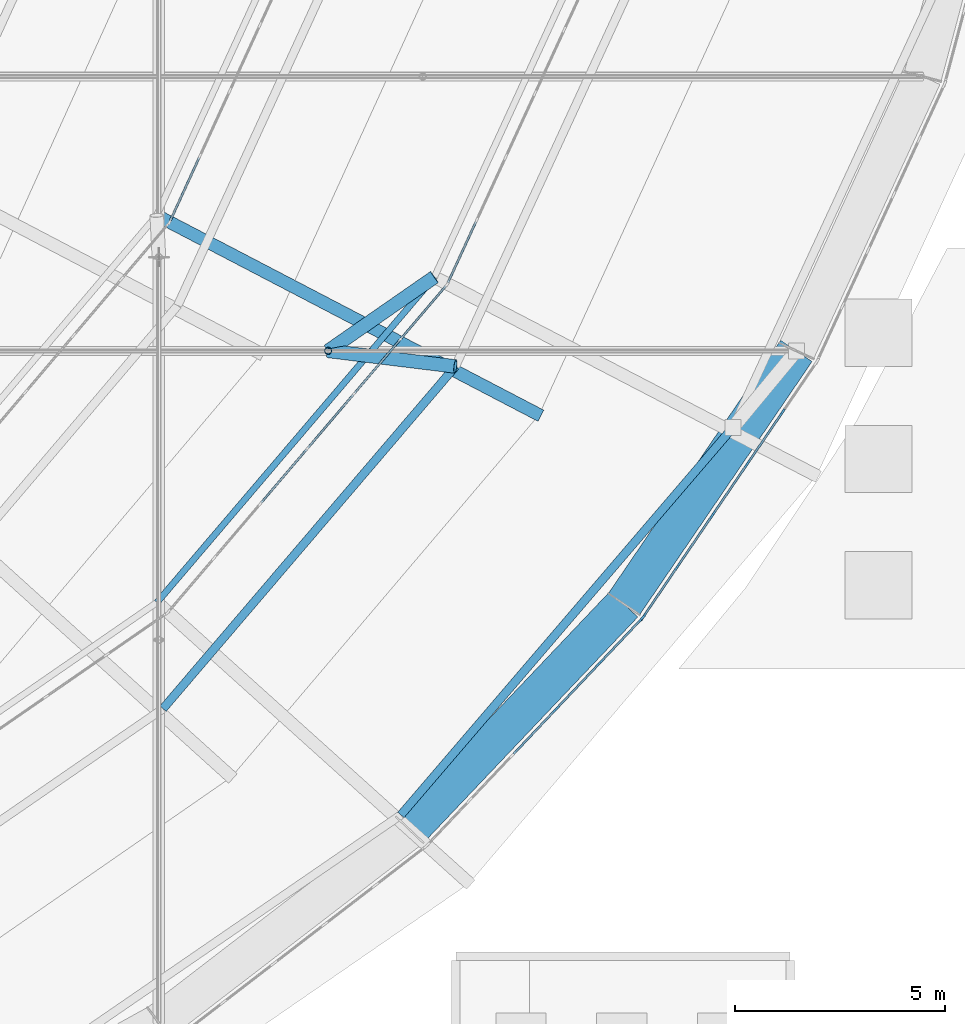
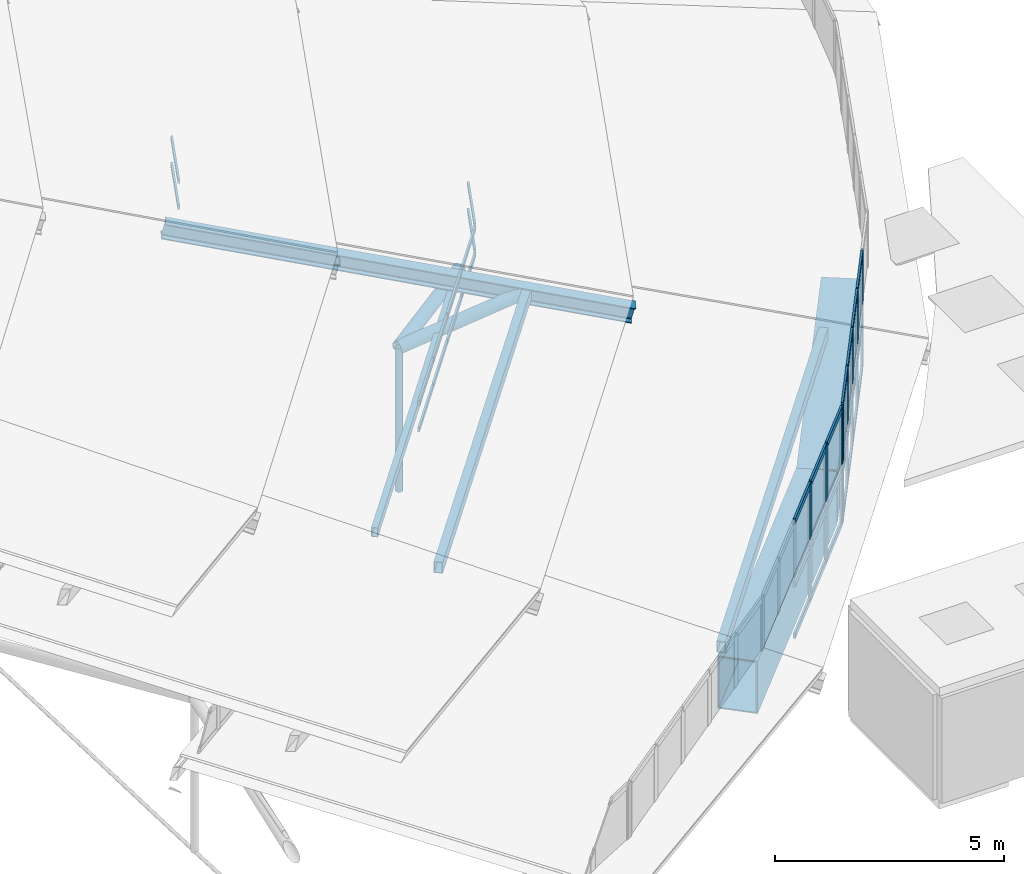
# One storey, part 81 of 173: 48 members, 2 beams, 5 elements without a shape of their own.
"""IFC4 building model written with IfcOpenShell, lengths in metres."""

import ifcopenshell
import ifcopenshell.guid

model = None  # the IFC model being written
_history = None  # IfcOwnerHistory: only IFC2X3 demands one
_inside = {}  # id of a spatial element -> (the spatial element, [elements in it])
_under = {}  # id of a project, library or spatial element -> (it, [spatial elements below it])
_declared = {}  # id of a project -> (the project, [libraries it declares])
_typed = {}  # id of a type object -> (the type object, [elements of that type])
_made_of = {}  # id of a material, layer set ... -> (it, [elements and type objects made of it])


def new_model(schema):
    """Start an empty IFC model of exactly this schema.

    Asked for "IFC4X3", IfcOpenShell would pick the latest addendum, in which some entities
    have other attributes; the version numbers below select the first issue.
    IFC2X3 requires an IfcOwnerHistory on every rooted entity: one is made here for all.
    """
    global model, _history
    if schema == "IFC4X3":
        model = ifcopenshell.file(schema_version=(4, 3, 0, 0))
    else:
        model = ifcopenshell.file(schema=schema)
    _inside.clear()
    _under.clear()
    _declared.clear()
    _typed.clear()
    _made_of.clear()
    _history = None
    if model.schema == "IFC2X3":
        org = make("IfcOrganization", Name="unknown")
        user = make(
            "IfcPersonAndOrganization",
            ThePerson=make("IfcPerson", FamilyName="unknown"),
            TheOrganization=org,
        )
        app = make(
            "IfcApplication",
            ApplicationDeveloper=org,
            Version="unknown",
            ApplicationFullName="unknown",
            ApplicationIdentifier="unknown",
        )
        _history = make(
            "IfcOwnerHistory",
            OwningUser=user,
            OwningApplication=app,
            ChangeAction="ADDED",
            CreationDate=0,
        )
    return model


def make(cls, **values):
    """One entity of the class cls with the attributes given. An attribute that is None is left unset."""
    return model.create_entity(
        cls, **{name: value for name, value in values.items() if value is not None}
    )


def rooted(cls, **values):
    """An entity with a GlobalId (a new one), such as an element, a storey or a relation."""
    return make(cls, GlobalId=ifcopenshell.guid.new(), OwnerHistory=_history, **values)


def si_unit(unit_type, name, prefix=None):
    """IfcSIUnit, for example si_unit("LENGTHUNIT", "METRE", prefix="MILLI")."""
    return make("IfcSIUnit", UnitType=unit_type, Prefix=prefix, Name=name)


def assignment(units):
    """IfcUnitAssignment: the units of a project."""
    return None if units is None else make("IfcUnitAssignment", Units=units)


def point(xyz):
    """IfcCartesianPoint."""
    return None if xyz is None else make("IfcCartesianPoint", Coordinates=xyz)


def direction(xyz):
    """IfcDirection."""
    return None if xyz is None else make("IfcDirection", DirectionRatios=xyz)


def frame(location, z_axis=None, x_axis=None):
    """IfcAxis2Placement3D, a coordinate frame: its origin and axes. An axis left out is left unset."""
    return make(
        "IfcAxis2Placement3D",
        Location=point(location),
        Axis=direction(z_axis),
        RefDirection=direction(x_axis),
    )


def frame_2d(location, x_axis=None):
    """IfcAxis2Placement2D, a coordinate frame in the plane: its origin and x axis."""
    return make(
        "IfcAxis2Placement2D", Location=point(location), RefDirection=direction(x_axis)
    )


def origin():
    """The frame at (0, 0, 0) with its axes left unset."""
    return frame((0.0, 0.0, 0.0))


def origin_2d():
    """The frame at (0, 0) in the plane with its x axis left unset."""
    return frame_2d((0.0, 0.0))


def place(relative_to, where):
    """IfcLocalPlacement: puts the frame where relative to a parent placement (None: the world)."""
    return make(
        "IfcLocalPlacement", PlacementRelTo=relative_to, RelativePlacement=where
    )


def context(
    kind, dimensions, precision=None, world=None, true_north=None, identifier=None
):
    """IfcGeometricRepresentationContext, for example the 3D "Model" context."""
    return make(
        "IfcGeometricRepresentationContext",
        ContextIdentifier=identifier,
        ContextType=kind,
        CoordinateSpaceDimension=dimensions,
        Precision=precision,
        WorldCoordinateSystem=world,
        TrueNorth=true_north,
    )


def subcontext(parent, identifier, kind, view, scale=None):
    """IfcGeometricRepresentationSubContext, for example "Body" below "Model"."""
    return make(
        "IfcGeometricRepresentationSubContext",
        ContextIdentifier=identifier,
        ContextType=kind,
        ParentContext=parent,
        TargetScale=scale,
        TargetView=view,
    )


def project(units=None, contexts=None):
    """IfcProject with its units and contexts."""
    return rooted(
        "IfcProject",
        Name="project",
        RepresentationContexts=contexts,
        UnitsInContext=assignment(units),
    )


def spatial(cls, under=None, at=None, **own):
    """A site, building, storey or space (cls), placed at a placement, below another one or the project."""
    s = rooted(cls, ObjectPlacement=at, **own)
    if under is not None:
        _under.setdefault(under.id(), (under, []))[1].append(s)
    return s


def profile(cls, at=None, kind="AREA", **sizes):
    """A parametric profile (cls). Its sizes go by their IFC names, for example OverallWidth=200.0."""
    return make(cls, ProfileType=kind, Position=at, **sizes)


def rectangle(**sizes):
    """IfcRectangleProfileDef."""
    return profile("IfcRectangleProfileDef", **sizes)


def hollow_rectangle(**sizes):
    """IfcRectangleHollowProfileDef."""
    return profile("IfcRectangleHollowProfileDef", **sizes)


def hollow_circle(**sizes):
    """IfcCircleHollowProfileDef."""
    return profile("IfcCircleHollowProfileDef", **sizes)


def i_section(**sizes):
    """IfcIShapeProfileDef."""
    return profile("IfcIShapeProfileDef", **sizes)


def extrude(swept, where, along, depth):
    """IfcExtrudedAreaSolid: the profile swept, set in the frame where, extruded along a direction by depth."""
    return make(
        "IfcExtrudedAreaSolid",
        SweptArea=swept,
        Position=where,
        ExtrudedDirection=direction(along),
        Depth=depth,
    )


def shape(context_of_items, identifier, shape_type, items):
    """IfcShapeRepresentation: the items that make up one representation, for example the "Body"."""
    return make(
        "IfcShapeRepresentation",
        ContextOfItems=context_of_items,
        RepresentationIdentifier=identifier,
        RepresentationType=shape_type,
        Items=items,
    )


def material(Name=None, Category=None):
    """IfcMaterial."""
    return make("IfcMaterial", Name=Name, Category=Category)


def material_profile(
    of_material, cross_section, Name=None, Category=None, Priority=None
):
    """IfcMaterialProfile: a cross section and its material."""
    return make(
        "IfcMaterialProfile",
        Name=Name,
        Material=of_material,
        Profile=cross_section,
        Priority=Priority,
        Category=Category,
    )


def profile_set(profiles, Name=None, composite=None):
    """IfcMaterialProfileSet."""
    return make(
        "IfcMaterialProfileSet",
        Name=Name,
        MaterialProfiles=profiles,
        CompositeProfile=composite,
    )


def made_of(thing, what):
    """Note that an element or type object is made of a material, layer set ...; save() writes the relation."""
    if what is not None:
        _made_of.setdefault(what.id(), (what, []))[1].append(thing)
    return thing


def type_object(cls, material=None, **own):
    """A type object (cls), such as IfcWallType, which elements share."""
    return made_of(rooted(cls, **own), material)


def element(
    cls,
    number,
    at=None,
    inside=None,
    cuts=None,
    type_object=None,
    material=None,
    context=None,
    identifier="Body",
    shape_type=None,
    held_by="IfcProductDefinitionShape",
    body=None,
    shapes=None,
    **own,
):
    """One element of the class cls, such as IfcWall. Its Tag is "e" and its number.

    at: its placement. inside: the storey or other place that contains it. cuts: it is an
    opening in that element (IfcRelVoidsElement). A single representation is given by context,
    identifier, shape_type and body (its items); several are given by shapes. held_by: the class
    of the entity that holds the representations. save() writes the other relations.
    """
    e = rooted(cls, Tag="e%d" % number, ObjectPlacement=at, **own)
    if body is not None:
        shapes = [shape(context, identifier, shape_type, body)]
    if shapes is not None:
        e.Representation = make(held_by, Representations=shapes)
    if inside is not None:
        _inside.setdefault(inside.id(), (inside, []))[1].append(e)
    if cuts is not None:
        rooted(
            "IfcRelVoidsElement", RelatingBuildingElement=cuts, RelatedOpeningElement=e
        )
    if type_object is not None:
        _typed.setdefault(type_object.id(), (type_object, []))[1].append(e)
    return made_of(e, material)


def aggregate(whole, parts):
    """IfcRelAggregates: a whole, such as a stair, and the parts it consists of."""
    return rooted("IfcRelAggregates", RelatingObject=whole, RelatedObjects=parts)


def save(model, path):
    """Write the relations noted so far, then the file.

    IfcRelAggregates (storeys below a building ...), IfcRelContainedInSpatialStructure (elements
    in a storey), IfcRelDefinesByType, IfcRelAssociatesMaterial and IfcRelDeclares: one each for
    every whole, place, type object, material and project.
    """
    for whole, parts in _under.values():
        aggregate(whole, parts)
    for where, things in _inside.values():
        rooted(
            "IfcRelContainedInSpatialStructure",
            RelatedElements=things,
            RelatingStructure=where,
        )
    for kind, things in _typed.values():
        rooted("IfcRelDefinesByType", RelatedObjects=things, RelatingType=kind)
    for what, things in _made_of.values():
        rooted("IfcRelAssociatesMaterial", RelatedObjects=things, RelatingMaterial=what)
    for by, libraries in _declared.values():
        rooted("IfcRelDeclares", RelatingContext=by, RelatedDefinitions=libraries)
    model.write(path)


model = new_model("IFC4")

# Units and contexts
model_context = context("Model", 3, precision=1e-05, world=origin(), true_north=direction((0.0, 1.0)))
body_context = subcontext(model_context, "Body", "Model", "MODEL_VIEW")
ifc_project = project(units=[si_unit("LENGTHUNIT", "METRE"), si_unit("AREAUNIT", "SQUARE_METRE"), si_unit("VOLUMEUNIT", "CUBIC_METRE"), si_unit("PLANEANGLEUNIT", "RADIAN"), si_unit("MASSUNIT", "GRAM", prefix="KILO")], contexts=[model_context])

# Site, building, storey
site_placement = place(None, origin())
site = spatial("IfcSite", under=ifc_project, at=site_placement, CompositionType="ELEMENT")
building_placement = place(site_placement, origin())
building = spatial("IfcBuilding", under=site, at=building_placement, Name="Glasvene Arena", CompositionType="ELEMENT")
storey_placement = place(building_placement, frame((0.0, 0.0, 28.800048828125)))
storey = spatial("IfcBuildingStorey", under=building, at=storey_placement, Name="RF", CompositionType="ELEMENT", Elevation=28.800048828125)

# Beams
ifc_material_1 = material(Name="Steel S355J2", Category="steel")
ifc_material_profile_1 = material_profile(ifc_material_1, hollow_rectangle(XDim=0.89990234375, YDim=1.39990234375, WallThickness=0.034912109375, at=origin_2d()), Name="WBOX 900x1400x35")
ifc_profile_set_1 = profile_set([ifc_material_profile_1], Name="Steel S355J2")
beam_type = type_object("IfcBeamType", Name="BM-RING-BOX1400", PredefinedType="USERDEFINED", material=ifc_profile_set_1)
beam_1_placement = place(storey_placement, frame((127.355224609375, 41.18017578125, -0.699951171875), z_axis=(0.688345435881, 0.725383044261, 0.0), x_axis=(-0.725383044261, 0.688345435881, 0.0)))
element("IfcBeam", 1, at=beam_1_placement, inside=storey, type_object=beam_type, Name="Compression ring beam chord RB-36", ObjectType="RING BEAM", PredefinedType="USERDEFINED", context=body_context, shape_type="SweptSolid", body=[
    extrude(hollow_rectangle(XDim=0.89990234375, YDim=1.39990234375, WallThickness=0.034912109375, at=origin_2d()), origin(), (0.0, 0.0, 1.0), 7.402587890625),
])
beam_2_placement = place(storey_placement, frame((132.45068359375, 46.5498046875, -0.699951171875), z_axis=(0.562841652838, 0.826564742674, 0.0), x_axis=(-0.826564742674, 0.562841652838, 0.0)))
element("IfcBeam", 2, at=beam_2_placement, inside=storey, type_object=beam_type, Name="Compression ring beam chord RB-37", ObjectType="RING BEAM", PredefinedType="USERDEFINED", context=body_context, shape_type="SweptSolid", body=[
    extrude(hollow_rectangle(XDim=0.89990234375, YDim=1.39990234375, WallThickness=0.034912109375, at=origin_2d()), origin(), (0.0, 0.0, 1.0), 7.28369140625),
])

# Curtain wall, members
ifc_material_2 = material(Name="Low-emissivity laminated double glazing", Category="glass")
curtain_wall_type_1 = type_object("IfcCurtainWallType", Name="CW-DRUM-749x310", PredefinedType="USERDEFINED", material=ifc_material_2)
curtain_wall_1_placement = place(storey_placement, frame((127.744140625, 40.791259765625, 0.0)))
curtain_wall_1 = element("IfcCurtainWall", 3, at=curtain_wall_1_placement, inside=storey, type_object=curtain_wall_type_1, Name="Crown compression-ring fascia curtain wall 36", ObjectType="CURTAIN WALL", PredefinedType="USERDEFINED")
ifc_material_3 = material(Name="Anodised architectural aluminium", Category="aluminium")
ifc_material_profile_2 = material_profile(ifc_material_3, rectangle(XDim=0.050048828125, YDim=0.199951171875, at=origin_2d()), Name="ALU MULLION 50x200")
ifc_profile_set_2 = profile_set([ifc_material_profile_2], Name="Anodised architectural aluminium")
member_type_1 = type_object("IfcMemberType", Name="CW-MUL-180", PredefinedType="MULLION", material=ifc_profile_set_2)
member_1_placement = place(storey_placement, frame((130.835205078125, 44.05224609375, -1.380126953125), z_axis=(0.0, 0.0, 1.0), x_axis=(-0.725782125252, 0.687924637344, 0.0)))
member_1 = element("IfcMember", 4, at=member_1_placement, type_object=member_type_1, Name="CW-075 mullion 4", PredefinedType="MULLION", context=body_context, shape_type="SweptSolid", body=[
    extrude(rectangle(XDim=0.050048828125, YDim=0.199951171875, at=origin_2d()), origin(), (0.0, 0.0, 1.0), 3.10009765625),
])
member_2_placement = place(storey_placement, frame((131.865478515625, 45.139404296875, -1.380126953125), z_axis=(0.0, 0.0, 1.0), x_axis=(-0.725782125252, 0.687924637344, 0.0)))
member_2 = element("IfcMember", 5, at=member_2_placement, type_object=member_type_1, Name="CW-075 mullion 5", PredefinedType="MULLION", context=body_context, shape_type="SweptSolid", body=[
    extrude(rectangle(XDim=0.050048828125, YDim=0.199951171875, at=origin_2d()), origin(), (0.0, 0.0, 1.0), 3.10009765625),
])
member_3_placement = place(storey_placement, frame((132.878662109375, 46.208251953125, -1.380126953125), z_axis=(0.0, 0.0, 1.0), x_axis=(-0.725782125252, 0.687924637344, 0.0)))
member_3 = element("IfcMember", 6, at=member_3_placement, type_object=member_type_1, Name="CW-075 mullion 6", PredefinedType="MULLION", context=body_context, shape_type="SweptSolid", body=[
    extrude(rectangle(XDim=0.050048828125, YDim=0.199951171875, at=origin_2d()), origin(), (0.0, 0.0, 1.0), 3.10009765625),
])

curtain_wall_type_2 = type_object("IfcCurtainWallType", Name="CW-DRUM-737x310", PredefinedType="USERDEFINED", material=ifc_material_2)
curtain_wall_2_placement = place(storey_placement, frame((132.895751953125, 46.226318359375, 0.0)))
curtain_wall_2 = element("IfcCurtainWall", 7, at=curtain_wall_2_placement, inside=storey, type_object=curtain_wall_type_2, Name="Crown compression-ring fascia curtain wall 37", ObjectType="CURTAIN WALL", PredefinedType="USERDEFINED")
member_4_placement = place(storey_placement, frame((132.909912109375, 46.2470703125, -1.380126953125), z_axis=(0.0, 0.0, 1.0), x_axis=(-0.826896469394, 0.56235418457, 0.0)))
member_4 = element("IfcMember", 8, at=member_4_placement, type_object=member_type_1, Name="CW-074 mullion 1", PredefinedType="MULLION", context=body_context, shape_type="SweptSolid", body=[
    extrude(rectangle(XDim=0.050048828125, YDim=0.199951171875, at=origin_2d()), origin(), (0.0, 0.0, 1.0), 3.10009765625),
])
member_5_placement = place(storey_placement, frame((133.724609375, 47.4453125, -1.380126953125), z_axis=(0.0, 0.0, 1.0), x_axis=(-0.826896469394, 0.56235418457, 0.0)))
member_5 = element("IfcMember", 9, at=member_5_placement, type_object=member_type_1, Name="CW-074 mullion 2", PredefinedType="MULLION", context=body_context, shape_type="SweptSolid", body=[
    extrude(rectangle(XDim=0.050048828125, YDim=0.199951171875, at=origin_2d()), origin(), (0.0, 0.0, 1.0), 3.10009765625),
])
member_6_placement = place(storey_placement, frame((134.5537109375, 48.6640625, -1.380126953125), z_axis=(0.0, 0.0, 1.0), x_axis=(-0.826896469394, 0.56235418457, 0.0)))
member_6 = element("IfcMember", 10, at=member_6_placement, type_object=member_type_1, Name="CW-074 mullion 3", PredefinedType="MULLION", context=body_context, shape_type="SweptSolid", body=[
    extrude(rectangle(XDim=0.050048828125, YDim=0.199951171875, at=origin_2d()), origin(), (0.0, 0.0, 1.0), 3.10009765625),
])
member_7_placement = place(storey_placement, frame((135.382568359375, 49.883056640625, -1.380126953125), z_axis=(0.0, 0.0, 1.0), x_axis=(-0.826896469394, 0.56235418457, 0.0)))
member_7 = element("IfcMember", 11, at=member_7_placement, type_object=member_type_1, Name="CW-074 mullion 4", PredefinedType="MULLION", context=body_context, shape_type="SweptSolid", body=[
    extrude(rectangle(XDim=0.050048828125, YDim=0.199951171875, at=origin_2d()), origin(), (0.0, 0.0, 1.0), 3.10009765625),
])
member_8_placement = place(storey_placement, frame((136.21142578125, 51.101806640625, -1.380126953125), z_axis=(0.0, 0.0, 1.0), x_axis=(-0.826896469394, 0.56235418457, 0.0)))
member_8 = element("IfcMember", 12, at=member_8_placement, type_object=member_type_1, Name="CW-074 mullion 5", PredefinedType="MULLION", context=body_context, shape_type="SweptSolid", body=[
    extrude(rectangle(XDim=0.050048828125, YDim=0.199951171875, at=origin_2d()), origin(), (0.0, 0.0, 1.0), 3.10009765625),
])

curtain_wall_type_3 = type_object("IfcCurtainWallType", Name="CW-PET1-1026x75", PredefinedType="USERDEFINED", material=ifc_material_2)
curtain_wall_3_placement = place(storey_placement, frame((121.59228515625, 46.342041015625, 0.0)))
curtain_wall_3 = element("IfcCurtainWall", 13, at=curtain_wall_3_placement, inside=storey, type_object=curtain_wall_type_3, Name="Petal ring 1-2 clerestory curtain wall 22", ObjectType="CURTAIN WALL", PredefinedType="USERDEFINED")
ifc_material_profile_3 = material_profile(ifc_material_3, rectangle(XDim=0.050048828125, YDim=0.1201171875, at=origin_2d()), Name="ALU TRANSOM 50x120")
ifc_profile_set_3 = profile_set([ifc_material_profile_3], Name="Anodised architectural aluminium")
member_type_2 = type_object("IfcMemberType", Name="CW-TRN-120", PredefinedType="USERDEFINED", material=ifc_profile_set_3)
member_9_placement = place(storey_placement, frame((123.825439453125, 48.9638671875, 2.60498046875), z_axis=(0.648510661064, 0.761205571766, 0.0), x_axis=(-0.761205571766, 0.648510661064, 0.0)))
member_9 = element("IfcMember", 14, at=member_9_placement, type_object=member_type_2, Name="CW-083 transom 3.1", ObjectType="TRANSOM", PredefinedType="USERDEFINED", context=body_context, shape_type="SweptSolid", body=[
    extrude(rectangle(XDim=0.050048828125, YDim=0.1201171875, at=origin_2d()), origin(), (0.0, 0.0, 1.0), 1.659423828125),
])
member_10_placement = place(storey_placement, frame((123.825439453125, 48.9638671875, 3.304931640625), z_axis=(0.648510661064, 0.761205571766, 0.0), x_axis=(-0.761205571766, 0.648510661064, 0.0)))
member_10 = element("IfcMember", 15, at=member_10_placement, type_object=member_type_2, Name="CW-083 transom 3.2", ObjectType="TRANSOM", PredefinedType="USERDEFINED", context=body_context, shape_type="SweptSolid", body=[
    extrude(rectangle(XDim=0.050048828125, YDim=0.1201171875, at=origin_2d()), origin(), (0.0, 0.0, 1.0), 1.659423828125),
])
member_11_placement = place(storey_placement, frame((124.93408203125, 50.26513671875, 2.60498046875), z_axis=(0.648425401794, 0.761278200337, 0.0), x_axis=(-0.761278200337, 0.648425401794, 0.0)))
member_11 = element("IfcMember", 16, at=member_11_placement, type_object=member_type_2, Name="CW-083 transom 4.1", ObjectType="TRANSOM", PredefinedType="USERDEFINED", context=body_context, shape_type="SweptSolid", body=[
    extrude(rectangle(XDim=0.050048828125, YDim=0.1201171875, at=origin_2d()), origin(), (0.0, 0.0, 1.0), 1.6591796875),
])
member_12_placement = place(storey_placement, frame((124.93408203125, 50.26513671875, 3.304931640625), z_axis=(0.648425401794, 0.761278200337, 0.0), x_axis=(-0.761278200337, 0.648425401794, 0.0)))
member_12 = element("IfcMember", 17, at=member_12_placement, type_object=member_type_2, Name="CW-083 transom 4.2", ObjectType="TRANSOM", PredefinedType="USERDEFINED", context=body_context, shape_type="SweptSolid", body=[
    extrude(rectangle(XDim=0.050048828125, YDim=0.1201171875, at=origin_2d()), origin(), (0.0, 0.0, 1.0), 1.6591796875),
])
member_13_placement = place(storey_placement, frame((126.04248046875, 51.56640625, 2.60498046875), z_axis=(0.648425401794, 0.761278200337, 0.0), x_axis=(-0.761278200337, 0.648425401794, 0.0)))
member_13 = element("IfcMember", 18, at=member_13_placement, type_object=member_type_2, Name="CW-083 transom 5.1", ObjectType="TRANSOM", PredefinedType="USERDEFINED", context=body_context, shape_type="SweptSolid", body=[
    extrude(rectangle(XDim=0.050048828125, YDim=0.1201171875, at=origin_2d()), origin(), (0.0, 0.0, 1.0), 1.6591796875),
])
member_14_placement = place(storey_placement, frame((126.04248046875, 51.56640625, 3.304931640625), z_axis=(0.648425401794, 0.761278200337, 0.0), x_axis=(-0.761278200337, 0.648425401794, 0.0)))
member_14 = element("IfcMember", 19, at=member_14_placement, type_object=member_type_2, Name="CW-083 transom 5.2", ObjectType="TRANSOM", PredefinedType="USERDEFINED", context=body_context, shape_type="SweptSolid", body=[
    extrude(rectangle(XDim=0.050048828125, YDim=0.1201171875, at=origin_2d()), origin(), (0.0, 0.0, 1.0), 1.6591796875),
])
member_15_placement = place(storey_placement, frame((127.15087890625, 52.86767578125, 2.60498046875), z_axis=(0.648463249482, 0.761245961613, 0.0), x_axis=(-0.761245961613, 0.648463249482, 0.0)))
member_15 = element("IfcMember", 20, at=member_15_placement, type_object=member_type_2, Name="CW-083 transom 6.1", ObjectType="TRANSOM", PredefinedType="USERDEFINED", context=body_context, shape_type="SweptSolid", body=[
    extrude(rectangle(XDim=0.050048828125, YDim=0.1201171875, at=origin_2d()), origin(), (0.0, 0.0, 1.0), 1.63427734375),
])
member_16_placement = place(storey_placement, frame((127.15087890625, 52.86767578125, 3.304931640625), z_axis=(0.648463249482, 0.761245961613, 0.0), x_axis=(-0.761245961613, 0.648463249482, 0.0)))
member_16 = element("IfcMember", 21, at=member_16_placement, type_object=member_type_2, Name="CW-083 transom 6.2", ObjectType="TRANSOM", PredefinedType="USERDEFINED", context=body_context, shape_type="SweptSolid", body=[
    extrude(rectangle(XDim=0.050048828125, YDim=0.1201171875, at=origin_2d()), origin(), (0.0, 0.0, 1.0), 1.63427734375),
])
aggregate(curtain_wall_3, [member_9, member_10, member_11, member_12, member_13, member_14, member_15, member_16])

curtain_wall_type_4 = type_object("IfcCurtainWallType", Name="CW-PET1-1001x75", PredefinedType="USERDEFINED", material=ifc_material_2)
curtain_wall_4_placement = place(storey_placement, frame((128.2431640625, 54.14990234375, 0.0)))
curtain_wall_4 = element("IfcCurtainWall", 22, at=curtain_wall_4_placement, inside=storey, type_object=curtain_wall_type_4, Name="Petal ring 1-2 clerestory curtain wall 23", ObjectType="CURTAIN WALL", PredefinedType="USERDEFINED")
member_17_placement = place(storey_placement, frame((128.26416015625, 54.1953125, 2.60498046875), z_axis=(0.41760960728, 0.908626554701, 0.0), x_axis=(-0.908626554701, 0.41760960728, 0.0)))
member_17 = element("IfcMember", 23, at=member_17_placement, type_object=member_type_2, Name="CW-082 transom 1.1", ObjectType="TRANSOM", PredefinedType="USERDEFINED", context=body_context, shape_type="SweptSolid", body=[
    extrude(rectangle(XDim=0.050048828125, YDim=0.1201171875, at=origin_2d()), origin(), (0.0, 0.0, 1.0), 1.593017578125),
])
member_18_placement = place(storey_placement, frame((128.26416015625, 54.1953125, 3.304931640625), z_axis=(0.41760960728, 0.908626554701, 0.0), x_axis=(-0.908626554701, 0.41760960728, 0.0)))
member_18 = element("IfcMember", 24, at=member_18_placement, type_object=member_type_2, Name="CW-082 transom 1.2", ObjectType="TRANSOM", PredefinedType="USERDEFINED", context=body_context, shape_type="SweptSolid", body=[
    extrude(rectangle(XDim=0.050048828125, YDim=0.1201171875, at=origin_2d()), origin(), (0.0, 0.0, 1.0), 1.593017578125),
])
aggregate(curtain_wall_4, [member_17, member_18])

curtain_wall_type_5 = type_object("IfcCurtainWallType", Name="CW-PET2-861x75", PredefinedType="USERDEFINED", material=ifc_material_2)
curtain_wall_5_placement = place(storey_placement, frame((121.640380859375, 55.625, 0.0)))
curtain_wall_5 = element("IfcCurtainWall", 25, at=curtain_wall_5_placement, inside=storey, type_object=curtain_wall_type_5, Name="Petal ring 2-3 clerestory curtain wall 23", ObjectType="CURTAIN WALL", PredefinedType="USERDEFINED")
member_19_placement = place(storey_placement, frame((121.6611328125, 55.67041015625, 5.204833984375), z_axis=(0.416593451122, 0.909092897609, 0.0), x_axis=(-0.909092897609, 0.416593451122, 0.0)))
member_19 = element("IfcMember", 26, at=member_19_placement, type_object=member_type_2, Name="CW-088 transom 1.1", ObjectType="TRANSOM", PredefinedType="USERDEFINED", context=body_context, shape_type="SweptSolid", body=[
    extrude(rectangle(XDim=0.050048828125, YDim=0.1201171875, at=origin_2d()), origin(), (0.0, 0.0, 1.0), 1.646728515625),
])
member_20_placement = place(storey_placement, frame((121.6611328125, 55.67041015625, 5.905029296875), z_axis=(0.416593451122, 0.909092897609, 0.0), x_axis=(-0.909092897609, 0.416593451122, 0.0)))
member_20 = element("IfcMember", 27, at=member_20_placement, type_object=member_type_2, Name="CW-088 transom 1.2", ObjectType="TRANSOM", PredefinedType="USERDEFINED", context=body_context, shape_type="SweptSolid", body=[
    extrude(rectangle(XDim=0.050048828125, YDim=0.1201171875, at=origin_2d()), origin(), (0.0, 0.0, 1.0), 1.646728515625),
])
aggregate(curtain_wall_5, [member_19, member_20])

# Member
ifc_material_profile_4 = material_profile(ifc_material_3, rectangle(XDim=0.050048828125, YDim=0.14990234375, at=origin_2d()), Name="ALU TRANSOM 50x150")
ifc_profile_set_4 = profile_set([ifc_material_profile_4], Name="Anodised architectural aluminium")
member_type_3 = type_object("IfcMemberType", Name="CW-TRN-150", PredefinedType="USERDEFINED", material=ifc_profile_set_4)
member_21_placement = place(storey_placement, frame((129.822021484375, 42.9833984375, -1.35498046875), z_axis=(0.687880286025, 0.725824160591, 0.0), x_axis=(-0.725824160591, 0.687880286025, 0.0)))
member_21 = element("IfcMember", 28, at=member_21_placement, type_object=member_type_3, Name="CW-075 transom 3.1", ObjectType="TRANSOM", PredefinedType="USERDEFINED", context=body_context, shape_type="SweptSolid", body=[
    extrude(rectangle(XDim=0.050048828125, YDim=0.14990234375, at=origin_2d()), origin(), (0.0, 0.0, 1.0), 1.44775390625),
])

member_22_placement = place(storey_placement, frame((129.822021484375, 42.9833984375, 0.02001953125), z_axis=(0.687880286025, 0.725824160591, 0.0), x_axis=(-0.725824160591, 0.687880286025, 0.0)))
member_22 = element("IfcMember", 29, at=member_22_placement, type_object=member_type_3, Name="CW-075 transom 3.2", ObjectType="TRANSOM", PredefinedType="USERDEFINED", context=body_context, shape_type="SweptSolid", body=[
    extrude(rectangle(XDim=0.050048828125, YDim=0.14990234375, at=origin_2d()), origin(), (0.0, 0.0, 1.0), 1.44775390625),
])

member_23_placement = place(storey_placement, frame((129.822021484375, 42.9833984375, 1.695068359375), z_axis=(0.687880286025, 0.725824160591, 0.0), x_axis=(-0.725824160591, 0.687880286025, 0.0)))
member_23 = element("IfcMember", 30, at=member_23_placement, type_object=member_type_3, Name="CW-075 transom 3.3", ObjectType="TRANSOM", PredefinedType="USERDEFINED", context=body_context, shape_type="SweptSolid", body=[
    extrude(rectangle(XDim=0.050048828125, YDim=0.14990234375, at=origin_2d()), origin(), (0.0, 0.0, 1.0), 1.44775390625),
])

member_24_placement = place(storey_placement, frame((130.852294921875, 44.070556640625, -1.35498046875), z_axis=(0.687969113319, 0.725739966599, 0.0), x_axis=(-0.725739966599, 0.687969113319, 0.0)))
member_24 = element("IfcMember", 31, at=member_24_placement, type_object=member_type_3, Name="CW-075 transom 4.1", ObjectType="TRANSOM", PredefinedType="USERDEFINED", context=body_context, shape_type="SweptSolid", body=[
    extrude(rectangle(XDim=0.050048828125, YDim=0.14990234375, at=origin_2d()), origin(), (0.0, 0.0, 1.0), 1.44775390625),
])

member_25_placement = place(storey_placement, frame((130.852294921875, 44.070556640625, 0.02001953125), z_axis=(0.687969113319, 0.725739966599, 0.0), x_axis=(-0.725739966599, 0.687969113319, 0.0)))
member_25 = element("IfcMember", 32, at=member_25_placement, type_object=member_type_3, Name="CW-075 transom 4.2", ObjectType="TRANSOM", PredefinedType="USERDEFINED", context=body_context, shape_type="SweptSolid", body=[
    extrude(rectangle(XDim=0.050048828125, YDim=0.14990234375, at=origin_2d()), origin(), (0.0, 0.0, 1.0), 1.44775390625),
])

member_26_placement = place(storey_placement, frame((130.852294921875, 44.070556640625, 1.695068359375), z_axis=(0.687969113319, 0.725739966599, 0.0), x_axis=(-0.725739966599, 0.687969113319, 0.0)))
member_26 = element("IfcMember", 33, at=member_26_placement, type_object=member_type_3, Name="CW-075 transom 4.3", ObjectType="TRANSOM", PredefinedType="USERDEFINED", context=body_context, shape_type="SweptSolid", body=[
    extrude(rectangle(XDim=0.050048828125, YDim=0.14990234375, at=origin_2d()), origin(), (0.0, 0.0, 1.0), 1.44775390625),
])

member_27_placement = place(storey_placement, frame((131.882568359375, 45.157470703125, -1.35498046875), z_axis=(0.687892173454, 0.725812894416, 0.0), x_axis=(-0.725812894416, 0.687892173454, 0.0)))
member_27 = element("IfcMember", 34, at=member_27_placement, type_object=member_type_3, Name="CW-075 transom 5.1", ObjectType="TRANSOM", PredefinedType="USERDEFINED", context=body_context, shape_type="SweptSolid", body=[
    extrude(rectangle(XDim=0.050048828125, YDim=0.14990234375, at=origin_2d()), origin(), (0.0, 0.0, 1.0), 1.4228515625),
])

member_28_placement = place(storey_placement, frame((131.882568359375, 45.157470703125, 0.02001953125), z_axis=(0.687892173454, 0.725812894416, 0.0), x_axis=(-0.725812894416, 0.687892173454, 0.0)))
member_28 = element("IfcMember", 35, at=member_28_placement, type_object=member_type_3, Name="CW-075 transom 5.2", ObjectType="TRANSOM", PredefinedType="USERDEFINED", context=body_context, shape_type="SweptSolid", body=[
    extrude(rectangle(XDim=0.050048828125, YDim=0.14990234375, at=origin_2d()), origin(), (0.0, 0.0, 1.0), 1.4228515625),
])

member_29_placement = place(storey_placement, frame((131.882568359375, 45.157470703125, 1.695068359375), z_axis=(0.687892173454, 0.725812894416, 0.0), x_axis=(-0.725812894416, 0.687892173454, 0.0)))
member_29 = element("IfcMember", 36, at=member_29_placement, type_object=member_type_3, Name="CW-075 transom 5.3", ObjectType="TRANSOM", PredefinedType="USERDEFINED", context=body_context, shape_type="SweptSolid", body=[
    extrude(rectangle(XDim=0.050048828125, YDim=0.14990234375, at=origin_2d()), origin(), (0.0, 0.0, 1.0), 1.4228515625),
])

aggregate(curtain_wall_1, [member_1, member_2, member_3, member_21, member_22, member_23, member_24, member_25, member_26, member_27, member_28, member_29])

member_30_placement = place(storey_placement, frame((132.923828125, 46.267822265625, -1.35498046875), z_axis=(0.56244843843, 0.826832361551, 0.0), x_axis=(-0.826832361551, 0.56244843843, 0.0)))
member_30 = element("IfcMember", 37, at=member_30_placement, type_object=member_type_3, Name="CW-074 transom 1.1", ObjectType="TRANSOM", PredefinedType="USERDEFINED", context=body_context, shape_type="SweptSolid", body=[
    extrude(rectangle(XDim=0.050048828125, YDim=0.14990234375, at=origin_2d()), origin(), (0.0, 0.0, 1.0), 1.39892578125),
])

member_31_placement = place(storey_placement, frame((132.923828125, 46.267822265625, 0.02001953125), z_axis=(0.56244843843, 0.826832361551, 0.0), x_axis=(-0.826832361551, 0.56244843843, 0.0)))
member_31 = element("IfcMember", 38, at=member_31_placement, type_object=member_type_3, Name="CW-074 transom 1.2", ObjectType="TRANSOM", PredefinedType="USERDEFINED", context=body_context, shape_type="SweptSolid", body=[
    extrude(rectangle(XDim=0.050048828125, YDim=0.14990234375, at=origin_2d()), origin(), (0.0, 0.0, 1.0), 1.39892578125),
])

member_32_placement = place(storey_placement, frame((132.923828125, 46.267822265625, 1.695068359375), z_axis=(0.56244843843, 0.826832361551, 0.0), x_axis=(-0.826832361551, 0.56244843843, 0.0)))
member_32 = element("IfcMember", 39, at=member_32_placement, type_object=member_type_3, Name="CW-074 transom 1.3", ObjectType="TRANSOM", PredefinedType="USERDEFINED", context=body_context, shape_type="SweptSolid", body=[
    extrude(rectangle(XDim=0.050048828125, YDim=0.14990234375, at=origin_2d()), origin(), (0.0, 0.0, 1.0), 1.39892578125),
])

member_33_placement = place(storey_placement, frame((133.73876953125, 47.4658203125, -1.35498046875), z_axis=(0.562272509987, 0.826952008591, 0.0), x_axis=(-0.826952008591, 0.562272509987, 0.0)))
member_33 = element("IfcMember", 40, at=member_33_placement, type_object=member_type_3, Name="CW-074 transom 2.1", ObjectType="TRANSOM", PredefinedType="USERDEFINED", context=body_context, shape_type="SweptSolid", body=[
    extrude(rectangle(XDim=0.050048828125, YDim=0.14990234375, at=origin_2d()), origin(), (0.0, 0.0, 1.0), 1.424072265625),
])

member_34_placement = place(storey_placement, frame((133.73876953125, 47.4658203125, 0.02001953125), z_axis=(0.562272509987, 0.826952008591, 0.0), x_axis=(-0.826952008591, 0.562272509987, 0.0)))
member_34 = element("IfcMember", 41, at=member_34_placement, type_object=member_type_3, Name="CW-074 transom 2.2", ObjectType="TRANSOM", PredefinedType="USERDEFINED", context=body_context, shape_type="SweptSolid", body=[
    extrude(rectangle(XDim=0.050048828125, YDim=0.14990234375, at=origin_2d()), origin(), (0.0, 0.0, 1.0), 1.424072265625),
])

member_35_placement = place(storey_placement, frame((133.73876953125, 47.4658203125, 1.695068359375), z_axis=(0.562272509987, 0.826952008591, 0.0), x_axis=(-0.826952008591, 0.562272509987, 0.0)))
member_35 = element("IfcMember", 42, at=member_35_placement, type_object=member_type_3, Name="CW-074 transom 2.3", ObjectType="TRANSOM", PredefinedType="USERDEFINED", context=body_context, shape_type="SweptSolid", body=[
    extrude(rectangle(XDim=0.050048828125, YDim=0.14990234375, at=origin_2d()), origin(), (0.0, 0.0, 1.0), 1.424072265625),
])

member_36_placement = place(storey_placement, frame((134.567626953125, 48.684814453125, -1.35498046875), z_axis=(0.562352226354, 0.82689780113, 0.0), x_axis=(-0.82689780113, 0.562352226354, 0.0)))
member_36 = element("IfcMember", 43, at=member_36_placement, type_object=member_type_3, Name="CW-074 transom 3.1", ObjectType="TRANSOM", PredefinedType="USERDEFINED", context=body_context, shape_type="SweptSolid", body=[
    extrude(rectangle(XDim=0.050048828125, YDim=0.14990234375, at=origin_2d()), origin(), (0.0, 0.0, 1.0), 1.424072265625),
])

member_37_placement = place(storey_placement, frame((134.567626953125, 48.684814453125, 0.02001953125), z_axis=(0.562352226354, 0.82689780113, 0.0), x_axis=(-0.82689780113, 0.562352226354, 0.0)))
member_37 = element("IfcMember", 44, at=member_37_placement, type_object=member_type_3, Name="CW-074 transom 3.2", ObjectType="TRANSOM", PredefinedType="USERDEFINED", context=body_context, shape_type="SweptSolid", body=[
    extrude(rectangle(XDim=0.050048828125, YDim=0.14990234375, at=origin_2d()), origin(), (0.0, 0.0, 1.0), 1.424072265625),
])

member_38_placement = place(storey_placement, frame((134.567626953125, 48.684814453125, 1.695068359375), z_axis=(0.562352226354, 0.82689780113, 0.0), x_axis=(-0.82689780113, 0.562352226354, 0.0)))
member_38 = element("IfcMember", 45, at=member_38_placement, type_object=member_type_3, Name="CW-074 transom 3.3", ObjectType="TRANSOM", PredefinedType="USERDEFINED", context=body_context, shape_type="SweptSolid", body=[
    extrude(rectangle(XDim=0.050048828125, YDim=0.14990234375, at=origin_2d()), origin(), (0.0, 0.0, 1.0), 1.424072265625),
])

member_39_placement = place(storey_placement, frame((135.396728515625, 49.903564453125, -1.35498046875), z_axis=(0.562352226354, 0.82689780113, 0.0), x_axis=(-0.82689780113, 0.562352226354, 0.0)))
member_39 = element("IfcMember", 46, at=member_39_placement, type_object=member_type_3, Name="CW-074 transom 4.1", ObjectType="TRANSOM", PredefinedType="USERDEFINED", context=body_context, shape_type="SweptSolid", body=[
    extrude(rectangle(XDim=0.050048828125, YDim=0.14990234375, at=origin_2d()), origin(), (0.0, 0.0, 1.0), 1.424072265625),
])

member_40_placement = place(storey_placement, frame((135.396728515625, 49.903564453125, 0.02001953125), z_axis=(0.562352226354, 0.82689780113, 0.0), x_axis=(-0.82689780113, 0.562352226354, 0.0)))
member_40 = element("IfcMember", 47, at=member_40_placement, type_object=member_type_3, Name="CW-074 transom 4.2", ObjectType="TRANSOM", PredefinedType="USERDEFINED", context=body_context, shape_type="SweptSolid", body=[
    extrude(rectangle(XDim=0.050048828125, YDim=0.14990234375, at=origin_2d()), origin(), (0.0, 0.0, 1.0), 1.424072265625),
])

member_41_placement = place(storey_placement, frame((135.396728515625, 49.903564453125, 1.695068359375), z_axis=(0.562352226354, 0.82689780113, 0.0), x_axis=(-0.82689780113, 0.562352226354, 0.0)))
member_41 = element("IfcMember", 48, at=member_41_placement, type_object=member_type_3, Name="CW-074 transom 4.3", ObjectType="TRANSOM", PredefinedType="USERDEFINED", context=body_context, shape_type="SweptSolid", body=[
    extrude(rectangle(XDim=0.050048828125, YDim=0.14990234375, at=origin_2d()), origin(), (0.0, 0.0, 1.0), 1.424072265625),
])

aggregate(curtain_wall_2, [member_4, member_5, member_6, member_7, member_8, member_30, member_31, member_32, member_33, member_34, member_35, member_36, member_37, member_38, member_39, member_40, member_41])

# Members
ifc_material_profile_5 = material_profile(ifc_material_1, i_section(OverallWidth=0.300048828125, OverallDepth=0.39990234375, WebThickness=0.013427734375, FlangeThickness=0.02392578125, FilletRadius=0.027099609375, at=origin_2d()), Name="HEB 400")
ifc_profile_set_5 = profile_set([ifc_material_profile_5], Name="Steel S355J2")
member_type_4 = type_object("IfcMemberType", Name="MB-CHORD-HEB400", PredefinedType="CHORD", material=ifc_profile_set_5)
member_42_placement = place(storey_placement, frame((130.430419921875, 51.050048828125, 2.14990234375), z_axis=(-0.860450517355, 0.448776022932, 0.241298546254), x_axis=(-0.46244071503, -0.886650204468, 0.0)))
element("IfcMember", 49, at=member_42_placement, inside=storey, type_object=member_type_4, Name="Petal ring 2 radial rib 23", PredefinedType="CHORD", context=body_context, shape_type="SweptSolid", body=[
    extrude(i_section(OverallWidth=0.300048828125, OverallDepth=0.39990234375, WebThickness=0.013427734375, FlangeThickness=0.02392578125, FilletRadius=0.027099609375, at=origin_2d()), origin(), (0.0, 0.0, 1.0), 10.568115234375),
])
ifc_material_profile_6 = material_profile(ifc_material_1, hollow_circle(Radius=0.161865234375, WallThickness=0.01611328125, at=origin_2d()), Name="CHS 323.9x16.0")
ifc_profile_set_6 = profile_set([ifc_material_profile_6], Name="Steel S355J2")
member_type_5 = type_object("IfcMemberType", Name="MB-POST-CHS324", PredefinedType="BRACE", material=ifc_profile_set_6)
member_43_placement = place(storey_placement, frame((125.41259765625, 52.5703125, 2.06103515625), z_axis=(0.820807248758, 0.569855264376, 0.039248414619), x_axis=(-0.570294685483, 0.821440181456, 0.0)))
element("IfcMember", 50, at=member_43_placement, inside=storey, type_object=member_type_5, Name="Petal ring 1 ridge support post 23", PredefinedType="BRACE", context=body_context, shape_type="SweptSolid", body=[
    extrude(hollow_circle(Radius=0.161865234375, WallThickness=0.01611328125, at=origin_2d()), origin(), (0.0, 0.0, 1.0), 3.0791015625),
])
member_44_placement = place(storey_placement, frame((125.41259765625, 52.5703125, 2.06103515625), z_axis=(0.969626475678, -0.118670702993, 0.213873237959), x_axis=(0.121481614795, 0.992593681859, 0.0)))
element("IfcMember", 51, at=member_44_placement, inside=storey, type_object=member_type_5, Name="Petal ring 2 outer support post 23", PredefinedType="BRACE", context=body_context, shape_type="SweptSolid", body=[
    extrude(hollow_circle(Radius=0.161865234375, WallThickness=0.01611328125, at=origin_2d()), origin(), (0.0, 0.0, 1.0), 3.120849609375),
])
ifc_material_profile_7 = material_profile(ifc_material_1, hollow_rectangle(XDim=0.14990234375, YDim=0.25, WallThickness=0.010009765625, at=origin_2d()), Name="RHS 250x150x10.0")
ifc_profile_set_7 = profile_set([ifc_material_profile_7], Name="Steel S355J2")
member_type_6 = type_object("IfcMemberType", Name="MB-PURLIN-RHS250", PredefinedType="PURLIN", material=ifc_profile_set_7)
member_45_placement = place(storey_placement, frame((121.344970703125, 46.589599609375, 2.181884765625), z_axis=(0.648785480465, 0.760971353165, 0.0), x_axis=(-0.760971353165, 0.648785480465, 0.0)))
element("IfcMember", 52, at=member_45_placement, inside=storey, type_object=member_type_6, Name="Petal ring 1 ridge purlin 22", PredefinedType="PURLIN", context=body_context, shape_type="SweptSolid", body=[
    extrude(hollow_rectangle(XDim=0.14990234375, YDim=0.25, WallThickness=0.010009765625, at=origin_2d()), origin(), (0.0, 0.0, 1.0), 10.1650390625),
])
ifc_material_profile_8 = material_profile(ifc_material_1, hollow_rectangle(XDim=0.199951171875, YDim=0.300048828125, WallThickness=0.012451171875, at=origin_2d()), Name="RHS 300x200x12.5")
ifc_profile_set_8 = profile_set([ifc_material_profile_8], Name="Steel S355J2")
member_type_7 = type_object("IfcMemberType", Name="MB-PURLIN-RHS300", PredefinedType="PURLIN", material=ifc_profile_set_8)
member_46_placement = place(storey_placement, frame((127.143310546875, 41.53369140625, 0.16748046875), z_axis=(0.650720142041, 0.759317652068, 0.0), x_axis=(-0.759317652068, 0.650720142041, 0.0)))
element("IfcMember", 53, at=member_46_placement, inside=storey, type_object=member_type_7, Name="Petal ring 1 outer purlin 22", PredefinedType="PURLIN", context=body_context, shape_type="SweptSolid", body=[
    extrude(hollow_rectangle(XDim=0.199951171875, YDim=0.300048828125, WallThickness=0.012451171875, at=origin_2d()), origin(), (0.0, 0.0, 1.0), 12.1376953125),
])
member_47_placement = place(storey_placement, frame((121.48583984375, 44.060791015625, 2.728515625), z_axis=(0.649522661182, 0.760342233873, 0.0), x_axis=(-0.760342233873, 0.649522661182, 0.0)))
element("IfcMember", 54, at=member_47_placement, inside=storey, type_object=member_type_7, Name="Petal ring 2 outer purlin 22", PredefinedType="PURLIN", context=body_context, shape_type="SweptSolid", body=[
    extrude(hollow_rectangle(XDim=0.199951171875, YDim=0.300048828125, WallThickness=0.012451171875, at=origin_2d()), origin(), (0.0, 0.0, 1.0), 10.70458984375),
])
ifc_material_profile_9 = material_profile(ifc_material_1, hollow_circle(Radius=0.084228515625, WallThickness=0.008056640625, at=origin_2d()), Name="CHS 168.3x8.0")
ifc_profile_set_9 = profile_set([ifc_material_profile_9], Name="Steel S355J2")
member_type_8 = type_object("IfcMemberType", Name="MB-WEB-CHS168", PredefinedType="BRACE", material=ifc_profile_set_9)
member_48_placement = place(storey_placement, frame((125.41259765625, 52.5703125, -1.753173828125), z_axis=(0.0, 0.0, 1.0), x_axis=(1.0, 0.0, 0.0)))
element("IfcMember", 55, at=member_48_placement, inside=storey, type_object=member_type_8, Name="Cable-truss vertical strut EW01-07", PredefinedType="BRACE", context=body_context, shape_type="SweptSolid", body=[
    extrude(hollow_circle(Radius=0.084228515625, WallThickness=0.008056640625, at=origin_2d()), origin(), (0.0, 0.0, 1.0), 3.814208984375),
])

save(model, "model.ifc")
